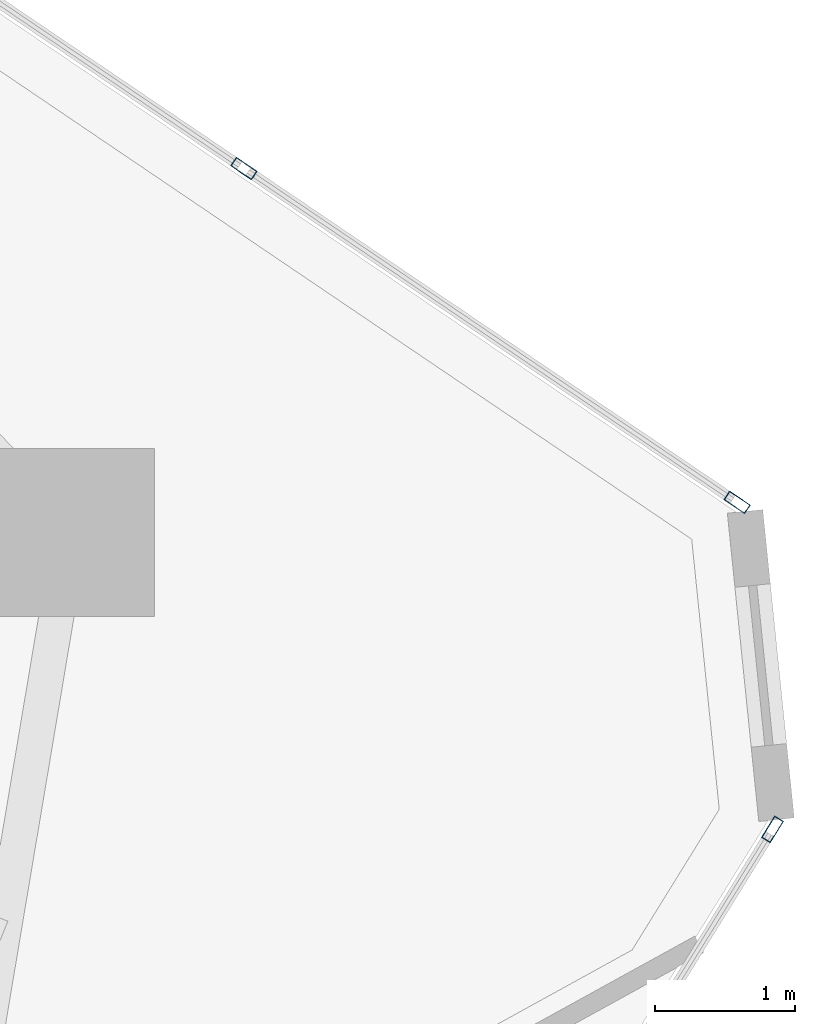
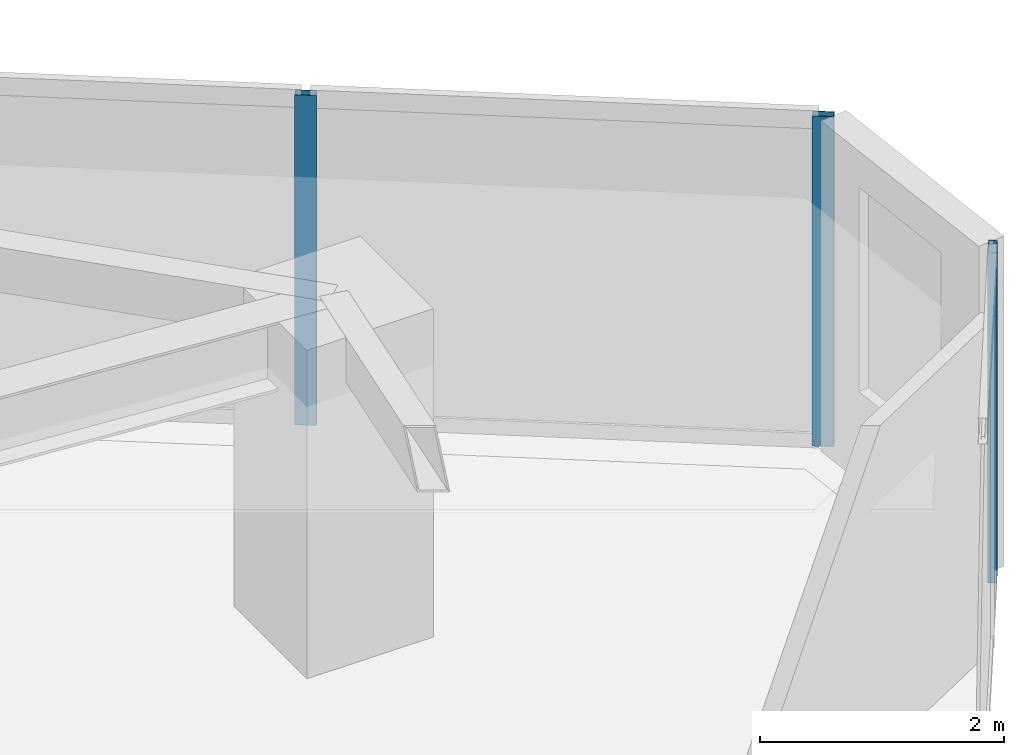
# One storey, part 12 of 20: 3 members, 2 elements without a shape of their own.
"""IFC4 building model written with IfcOpenShell, lengths in metres."""

from ifc_helpers import new_model, si_unit, direction, frame, origin, origin_2d, place, context, subcontext, project, spatial, hollow_rectangle, extrude, source, transform, mapped, material, layer, layer_set, material_profile, profile_set, type_object, type_shapes, element, aggregate, save


model = new_model("IFC4")

# Units and contexts
model_context = context("Model", 3, precision=1e-05, world=origin(), true_north=direction((0.0, 1.0)))
body_context = subcontext(model_context, "Body", "Model", "MODEL_VIEW")
ifc_project = project(units=[si_unit("LENGTHUNIT", "METRE"), si_unit("AREAUNIT", "SQUARE_METRE"), si_unit("VOLUMEUNIT", "CUBIC_METRE"), si_unit("PLANEANGLEUNIT", "RADIAN"), si_unit("MASSUNIT", "GRAM", prefix="KILO")], contexts=[model_context])

# Site, building, storey
site_placement = place(None, origin())
site = spatial("IfcSite", under=ifc_project, at=site_placement, CompositionType="ELEMENT")
building_placement = place(site_placement, origin())
building = spatial("IfcBuilding", under=site, at=building_placement, Name="Talar Marvaseh", CompositionType="ELEMENT")
storey_placement = place(building_placement, frame((0.0, 0.0, 132.60009765625)))
storey = spatial("IfcBuildingStorey", under=building, at=storey_placement, Name="L34", CompositionType="ELEMENT", Elevation=132.60009765625)

# Curtain wall, members
ifc_material = material(Name="Architectural Aluminium", Category="aluminium")
ifc_layer = layer(ifc_material, 0.199951171875)
ifc_layer_set = layer_set([ifc_layer], Name="Architectural Aluminium")
curtain_wall_type = type_object("IfcCurtainWallType", Name="Unitised Acoustic Library Curtain Wall Z2", PredefinedType="NOTDEFINED", material=ifc_layer_set)
curtain_wall_1_placement = place(storey_placement, origin())
curtain_wall_1 = element("IfcCurtainWall", 1, at=curtain_wall_1_placement, inside=storey, type_object=curtain_wall_type, Name="L34 Unitised Acoustic Library Curtain Wall Z2", PredefinedType="NOTDEFINED")
ifc_material_profile = material_profile(ifc_material, hollow_rectangle(XDim=0.074951171875, YDim=0.179931640625, WallThickness=0.0048828125, at=origin_2d()), Name="RHS180x75x5")
ifc_profile_set = profile_set([ifc_material_profile], Name="Architectural Aluminium")
member_type = type_object("IfcMemberType", Name="Unitised Curtain Wall Standard Mullion RHS180x75x5", PredefinedType="MULLION", material=ifc_profile_set)
shared_shape = source(origin(), body_context, "Body", "SweptSolid", [
    extrude(hollow_rectangle(XDim=0.074951171875, YDim=0.179931640625, WallThickness=0.0048828125, at=origin_2d()), origin(), (0.0, 0.0, 1.0), 3.309814453125),
])
type_shapes(member_type, [shared_shape])
member_1_placement = place(storey_placement, frame((44.28466796875, 38.67919921875, 0.0), z_axis=(0.0, 0.0, 1.0), x_axis=(0.560583165439, 0.828098131037, 0.0)))
member_1 = element("IfcMember", 2, at=member_1_placement, type_object=member_type, Name="CW-Z2 mullion 4", PredefinedType="MULLION", context=body_context, shape_type="MappedRepresentation", body=[
    mapped(shared_shape, transform((0.0, 0.0, 0.0), x_axis=(1.0, 0.0, 0.0), y_axis=(0.0, 1.0, 0.0), z_axis=(0.0, 0.0, 1.0), scale=1.0)),
])
member_2_placement = place(storey_placement, frame((47.812744140625, 36.290771484375, 0.0), z_axis=(0.0, 0.0, 1.0), x_axis=(0.560583165439, 0.828098131037, 0.0)))
member_2 = element("IfcMember", 3, at=member_2_placement, type_object=member_type, Name="CW-Z2 mullion 5", PredefinedType="MULLION", context=body_context, shape_type="MappedRepresentation", body=[
    mapped(shared_shape, transform((0.0, 0.0, 0.0), x_axis=(1.0, 0.0, 0.0), y_axis=(0.0, 1.0, 0.0), z_axis=(0.0, 0.0, 1.0), scale=1.0)),
])
aggregate(curtain_wall_1, [member_1, member_2])

# Curtain wall, member
curtain_wall_2_placement = place(storey_placement, origin())
curtain_wall_2 = element("IfcCurtainWall", 4, at=curtain_wall_2_placement, inside=storey, type_object=curtain_wall_type, Name="L34 Unitised Acoustic Library Curtain Wall Z2", PredefinedType="NOTDEFINED")
member_3_placement = place(storey_placement, frame((48.066162109375, 33.951416015625, 0.0), z_axis=(0.0, 0.0, 1.0), x_axis=(0.850272441792, -0.526342830035, 0.0)))
member_3 = element("IfcMember", 5, at=member_3_placement, type_object=member_type, Name="CW-Z2 mullion 1", PredefinedType="MULLION", context=body_context, shape_type="MappedRepresentation", body=[
    mapped(shared_shape, transform((0.0, 0.0, 0.0), x_axis=(1.0, 0.0, 0.0), y_axis=(0.0, 1.0, 0.0), z_axis=(0.0, 0.0, 1.0), scale=1.0)),
])
aggregate(curtain_wall_2, [member_3])

save(model, "model.ifc")
